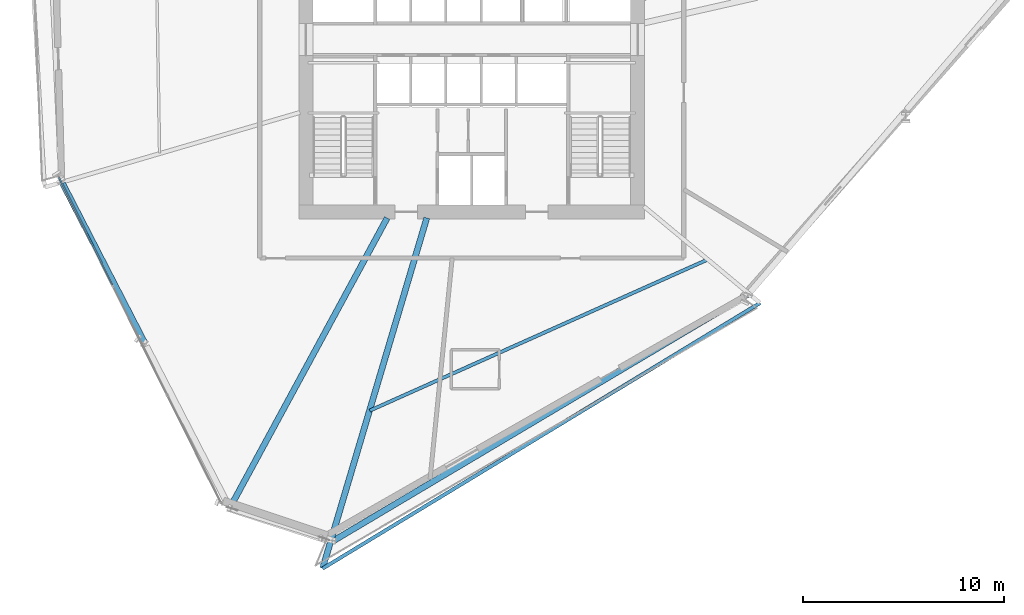
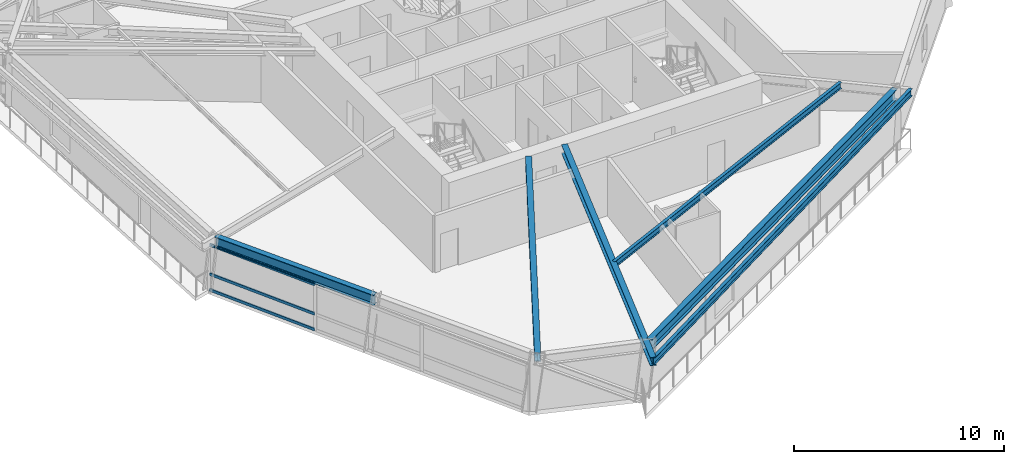
# One storey, part 3 of 20: 6 beams, 3 members, 1 element without a shape of its own.
"""IFC4 building model written with IfcOpenShell, lengths in metres."""

from ifc_helpers import new_model, si_unit, direction, frame, origin, origin_2d, place, context, subcontext, project, spatial, hollow_rectangle, i_section, extrude, source, transform, mapped, material, material_profile, profile_set, type_object, element, aggregate, save


model = new_model("IFC4")

# Units and contexts
model_context = context("Model", 3, precision=1e-05, world=origin(), true_north=direction((0.0, 1.0)))
body_context = subcontext(model_context, "Body", "Model", "MODEL_VIEW")
ifc_project = project(units=[si_unit("LENGTHUNIT", "METRE"), si_unit("AREAUNIT", "SQUARE_METRE"), si_unit("VOLUMEUNIT", "CUBIC_METRE"), si_unit("PLANEANGLEUNIT", "RADIAN"), si_unit("MASSUNIT", "GRAM", prefix="KILO")], contexts=[model_context])

# Site, building, storey
site_placement = place(None, origin())
site = spatial("IfcSite", under=ifc_project, at=site_placement, CompositionType="ELEMENT")
building_placement = place(site_placement, origin())
building = spatial("IfcBuilding", under=site, at=building_placement, Name="Olszyna Solenne Hotel", CompositionType="ELEMENT")
storey_placement = place(building_placement, frame((0.0, 0.0, 98.60009765625)))
storey = spatial("IfcBuildingStorey", under=building, at=storey_placement, Name="L25", CompositionType="ELEMENT", Elevation=98.60009765625)

# Beams
ifc_material_1 = material(Name="Steel S355J2", Category="steel")
ifc_material_profile_1 = material_profile(ifc_material_1, i_section(OverallWidth=0.300048828125, OverallDepth=0.60009765625, WebThickness=0.015380859375, FlangeThickness=0.030029296875, at=origin_2d()), Name="HEB 600", Category="load-bearing")
ifc_profile_set_1 = profile_set([ifc_material_profile_1], Name="Steel S355J2")
beam_type_1 = type_object("IfcBeamType", Name="BM-S2", PredefinedType="BEAM", material=ifc_profile_set_1)
shared_shape_1 = source(origin(), body_context, "Body", "SweptSolid", [
    extrude(i_section(OverallWidth=0.300048828125, OverallDepth=0.60009765625, WebThickness=0.015380859375, FlangeThickness=0.030029296875, at=origin_2d()), origin(), (0.0, 0.0, 1.0), 9.001708984375),
])
beam_1_placement = place(storey_placement, frame((17.6298828125, 20.575927734375, 3.0), z_axis=(0.458169615011, -0.888864783801, 0.0), x_axis=(0.888864783801, 0.458169615011, 0.0)))
element("IfcBeam", 1, at=beam_1_placement, inside=storey, type_object=beam_type_1, Name="Perimeter spandrel beam BM-S2 B-L25-0756", PredefinedType="BEAM", context=body_context, shape_type="MappedRepresentation", body=[
    mapped(shared_shape_1, transform((0.0, 0.0, 0.0), x_axis=(1.0, 0.0, 0.0), y_axis=(0.0, 1.0, 0.0), z_axis=(0.0, 0.0, 1.0), scale=1.0)),
])
shared_shape_2 = source(origin(), body_context, "Body", "SweptSolid", [
    extrude(i_section(OverallWidth=0.300048828125, OverallDepth=0.60009765625, WebThickness=0.015380859375, FlangeThickness=0.030029296875, at=origin_2d()), origin(), (0.0, 0.0, 1.0), 23.8984375),
])
beam_2_placement = place(storey_placement, frame((31.177734375, 2.81591796875, 3.0), z_axis=(0.859638844479, 0.510902199117, 0.0), x_axis=(-0.510902199117, 0.859638844479, 0.0)))
element("IfcBeam", 2, at=beam_2_placement, inside=storey, type_object=beam_type_1, Name="Perimeter spandrel beam BM-S2 B-L25-0759", PredefinedType="BEAM", context=body_context, shape_type="MappedRepresentation", body=[
    mapped(shared_shape_2, transform((0.0, 0.0, 0.0), x_axis=(1.0, 0.0, 0.0), y_axis=(0.0, 1.0, 0.0), z_axis=(0.0, 0.0, 1.0), scale=1.0)),
])
ifc_material_profile_2 = material_profile(ifc_material_1, i_section(OverallWidth=0.300048828125, OverallDepth=0.489990234375, WebThickness=0.011962890625, FlangeThickness=0.02294921875, at=origin_2d()), Name="HEA 500", Category="load-bearing")
ifc_profile_set_2 = profile_set([ifc_material_profile_2], Name="Steel S355J2")
beam_type_2 = type_object("IfcBeamType", Name="BM-G1", PredefinedType="BEAM", material=ifc_profile_set_2)
shared_shape_3 = source(origin(), body_context, "Body", "SweptSolid", [
    extrude(i_section(OverallWidth=0.300048828125, OverallDepth=0.489990234375, WebThickness=0.011962890625, FlangeThickness=0.02294921875, at=origin_2d()), origin(), (0.0, 0.0, 1.0), 16.358154296875),
])
beam_3_placement = place(storey_placement, frame((25.989501953125, 4.46630859375, 3.054931640625), z_axis=(0.476937384642, 0.878937273718, 0.0), x_axis=(-0.878937273718, 0.476937384642, 0.0)))
element("IfcBeam", 3, at=beam_3_placement, inside=storey, type_object=beam_type_2, Name="Radial floor girder BM-G1 B-L25-0768", PredefinedType="BEAM", context=body_context, shape_type="MappedRepresentation", body=[
    mapped(shared_shape_3, transform((0.0, 0.0, 0.0), x_axis=(1.0, 0.0, 0.0), y_axis=(0.0, 1.0, 0.0), z_axis=(0.0, 0.0, 1.0), scale=1.0)),
])
shared_shape_4 = source(origin(), body_context, "Body", "SweptSolid", [
    extrude(i_section(OverallWidth=0.300048828125, OverallDepth=0.489990234375, WebThickness=0.011962890625, FlangeThickness=0.02294921875, at=origin_2d()), origin(), (0.0, 0.0, 1.0), 18.18505859375),
])
beam_4_placement = place(storey_placement, frame((30.581298828125, 1.41650390625, 3.054931640625), z_axis=(0.284911926024, 0.958553699283, 0.0), x_axis=(-0.958553699283, 0.284911926024, 0.0)))
element("IfcBeam", 4, at=beam_4_placement, inside=storey, type_object=beam_type_2, Name="Radial floor girder BM-G1 B-L25-0769", PredefinedType="BEAM", context=body_context, shape_type="MappedRepresentation", body=[
    mapped(shared_shape_4, transform((0.0, 0.0, 0.0), x_axis=(1.0, 0.0, 0.0), y_axis=(0.0, 1.0, 0.0), z_axis=(0.0, 0.0, 1.0), scale=1.0)),
])
ifc_material_profile_3 = material_profile(ifc_material_1, i_section(OverallWidth=0.169921875, OverallDepth=0.360107421875, WebThickness=0.008056640625, FlangeThickness=0.0126953125, at=origin_2d()), Name="IPE 360", Category="load-bearing")
ifc_profile_set_3 = profile_set([ifc_material_profile_3], Name="Steel S355J2")
beam_type_3 = type_object("IfcBeamType", Name="JS-01", PredefinedType="JOIST", material=ifc_profile_set_3)
shared_shape_5 = source(origin(), body_context, "Body", "SweptSolid", [
    extrude(i_section(OverallWidth=0.169921875, OverallDepth=0.360107421875, WebThickness=0.008056640625, FlangeThickness=0.0126953125, at=origin_2d()), origin(), (0.0, 0.0, 1.0), 18.4033203125),
])
beam_5_placement = place(storey_placement, frame((32.927978515625, 9.25830078125, 3.119873046875), z_axis=(0.912852213882, 0.408290136557, 0.0), x_axis=(-0.408290136557, 0.912852213882, 0.0)))
element("IfcBeam", 5, at=beam_5_placement, inside=storey, type_object=beam_type_3, Name="Secondary composite floor joist JS-01 B-L25-0776", PredefinedType="JOIST", context=body_context, shape_type="MappedRepresentation", body=[
    mapped(shared_shape_5, transform((0.0, 0.0, 0.0), x_axis=(1.0, 0.0, 0.0), y_axis=(0.0, 1.0, 0.0), z_axis=(0.0, 0.0, 1.0), scale=1.0)),
])
ifc_material_profile_4 = material_profile(ifc_material_1, i_section(OverallWidth=0.179931640625, OverallDepth=0.39990234375, WebThickness=0.008544921875, FlangeThickness=0.013427734375, at=origin_2d()), Name="IPE 400", Category="load-bearing")
ifc_profile_set_4 = profile_set([ifc_material_profile_4], Name="Steel S355J2")
beam_type_4 = type_object("IfcBeamType", Name="BM-F5", PredefinedType="BEAM", material=ifc_profile_set_4)
shared_shape_6 = source(origin(), body_context, "Body", "SweptSolid", [
    extrude(i_section(OverallWidth=0.179931640625, OverallDepth=0.39990234375, WebThickness=0.008544921875, FlangeThickness=0.013427734375, at=origin_2d()), origin(), (0.0, 0.0, 1.0), 25.47412109375),
])
beam_6_placement = place(storey_placement, frame((30.57568359375, 1.397216796875, 3.099853515625), z_axis=(0.854801484268, 0.518955125702, 0.0), x_axis=(-0.518955125702, 0.854801484268, 0.0)))
element("IfcBeam", 6, at=beam_6_placement, inside=storey, type_object=beam_type_4, Name="Loggia outer edge beam BM-F5 B-L25-0779", PredefinedType="BEAM", context=body_context, shape_type="MappedRepresentation", body=[
    mapped(shared_shape_6, transform((0.0, 0.0, 0.0), x_axis=(1.0, 0.0, 0.0), y_axis=(0.0, 1.0, 0.0), z_axis=(0.0, 0.0, 1.0), scale=1.0)),
])

# Curtain wall, members
ifc_material_2 = material(Name="Anodised bronze aluminium", Category="aluminium")
curtain_wall_type = type_object("IfcCurtainWallType", Name="CW-SYS-3", PredefinedType="NOTDEFINED", material=ifc_material_2)
curtain_wall_placement = place(storey_placement, origin())
curtain_wall = element("IfcCurtainWall", 7, at=curtain_wall_placement, inside=storey, type_object=curtain_wall_type, Name="Unitised curtain wall CW-SYS-3 CW-L25-01", PredefinedType="NOTDEFINED")
ifc_material_profile_5 = material_profile(ifc_material_2, hollow_rectangle(XDim=0.074951171875, YDim=0.159912109375, WallThickness=0.00390625, at=origin_2d()), Name="TRAN 160x75x4", Category="load-bearing")
ifc_profile_set_5 = profile_set([ifc_material_profile_5], Name="Anodised bronze aluminium")
member_type = type_object("IfcMemberType", Name="CW-T1", PredefinedType="USERDEFINED", material=ifc_profile_set_5)
shared_shape_7 = source(origin(), body_context, "Body", "SweptSolid", [
    extrude(hollow_rectangle(XDim=0.074951171875, YDim=0.159912109375, WallThickness=0.00390625, at=origin_2d()), origin(), (0.0, 0.0, 1.0), 5.975341796875),
])
member_1_placement = place(storey_placement, frame((17.453369140625, 20.859130859375, 0.037353515625), z_axis=(0.446461639757, -0.894802773926, 0.0), x_axis=(0.894802773926, 0.446461639757, 0.0)))
member_1 = element("IfcMember", 8, at=member_1_placement, type_object=member_type, Name="Curtain-wall transom CW-T1 CT-L25-01-01", ObjectType="TRANSOM", PredefinedType="USERDEFINED", context=body_context, shape_type="MappedRepresentation", body=[
    mapped(shared_shape_7, transform((0.0, 0.0, 0.0), x_axis=(1.0, 0.0, 0.0), y_axis=(0.0, 1.0, 0.0), z_axis=(0.0, 0.0, 1.0), scale=1.0)),
])
member_2_placement = place(storey_placement, frame((17.453369140625, 20.859130859375, 0.949951171875), z_axis=(0.446461639757, -0.894802773926, 0.0), x_axis=(0.894802773926, 0.446461639757, 0.0)))
member_2 = element("IfcMember", 9, at=member_2_placement, type_object=member_type, Name="Curtain-wall transom CW-T1 CT-L25-01-02", ObjectType="TRANSOM", PredefinedType="USERDEFINED", context=body_context, shape_type="MappedRepresentation", body=[
    mapped(shared_shape_7, transform((0.0, 0.0, 0.0), x_axis=(1.0, 0.0, 0.0), y_axis=(0.0, 1.0, 0.0), z_axis=(0.0, 0.0, 1.0), scale=1.0)),
])
member_3_placement = place(storey_placement, frame((17.453369140625, 20.859130859375, 2.654296875), z_axis=(0.446461639757, -0.894802773926, 0.0), x_axis=(0.894802773926, 0.446461639757, 0.0)))
member_3 = element("IfcMember", 10, at=member_3_placement, type_object=member_type, Name="Curtain-wall transom CW-T1 CT-L25-01-03", ObjectType="TRANSOM", PredefinedType="USERDEFINED", context=body_context, shape_type="MappedRepresentation", body=[
    mapped(shared_shape_7, transform((0.0, 0.0, 0.0), x_axis=(1.0, 0.0, 0.0), y_axis=(0.0, 1.0, 0.0), z_axis=(0.0, 0.0, 1.0), scale=1.0)),
])
aggregate(curtain_wall, [member_1, member_2, member_3])

save(model, "model.ifc")
